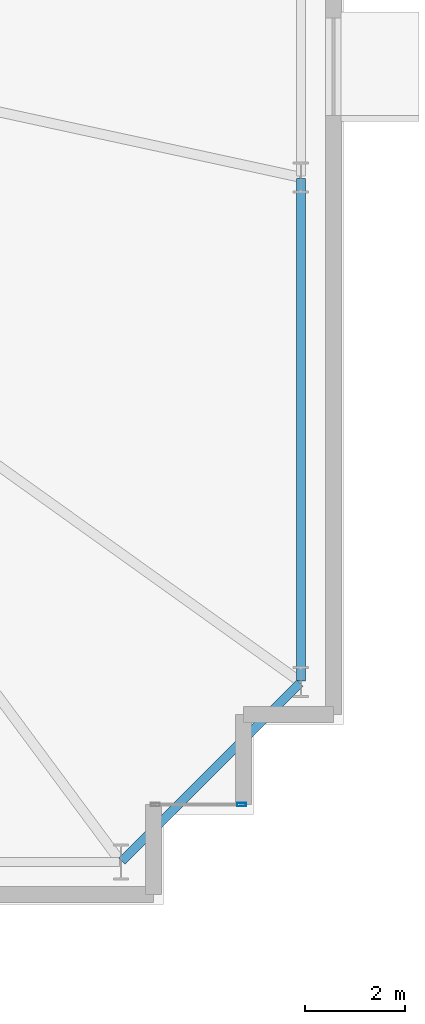
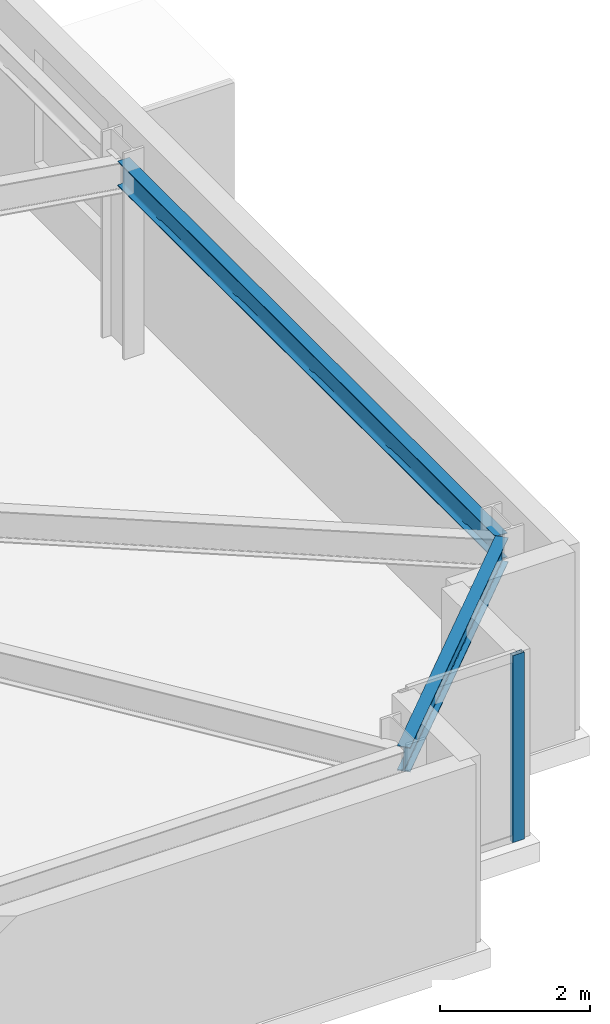
# One storey, part 14 of 24: 2 beams, 1 member, 1 element without a shape of its own.
"""IFC4 building model written with IfcOpenShell, lengths in metres."""

import ifcopenshell
import ifcopenshell.guid

model = None  # the IFC model being written
_history = None  # IfcOwnerHistory: only IFC2X3 demands one
_inside = {}  # id of a spatial element -> (the spatial element, [elements in it])
_under = {}  # id of a project, library or spatial element -> (it, [spatial elements below it])
_declared = {}  # id of a project -> (the project, [libraries it declares])
_typed = {}  # id of a type object -> (the type object, [elements of that type])
_made_of = {}  # id of a material, layer set ... -> (it, [elements and type objects made of it])


def new_model(schema):
    """Start an empty IFC model of exactly this schema.

    Asked for "IFC4X3", IfcOpenShell would pick the latest addendum, in which some entities
    have other attributes; the version numbers below select the first issue.
    IFC2X3 requires an IfcOwnerHistory on every rooted entity: one is made here for all.
    """
    global model, _history
    if schema == "IFC4X3":
        model = ifcopenshell.file(schema_version=(4, 3, 0, 0))
    else:
        model = ifcopenshell.file(schema=schema)
    _inside.clear()
    _under.clear()
    _declared.clear()
    _typed.clear()
    _made_of.clear()
    _history = None
    if model.schema == "IFC2X3":
        org = make("IfcOrganization", Name="unknown")
        user = make(
            "IfcPersonAndOrganization",
            ThePerson=make("IfcPerson", FamilyName="unknown"),
            TheOrganization=org,
        )
        app = make(
            "IfcApplication",
            ApplicationDeveloper=org,
            Version="unknown",
            ApplicationFullName="unknown",
            ApplicationIdentifier="unknown",
        )
        _history = make(
            "IfcOwnerHistory",
            OwningUser=user,
            OwningApplication=app,
            ChangeAction="ADDED",
            CreationDate=0,
        )
    return model


def make(cls, **values):
    """One entity of the class cls with the attributes given. An attribute that is None is left unset."""
    return model.create_entity(
        cls, **{name: value for name, value in values.items() if value is not None}
    )


def rooted(cls, **values):
    """An entity with a GlobalId (a new one), such as an element, a storey or a relation."""
    return make(cls, GlobalId=ifcopenshell.guid.new(), OwnerHistory=_history, **values)


def si_unit(unit_type, name, prefix=None):
    """IfcSIUnit, for example si_unit("LENGTHUNIT", "METRE", prefix="MILLI")."""
    return make("IfcSIUnit", UnitType=unit_type, Prefix=prefix, Name=name)


def assignment(units):
    """IfcUnitAssignment: the units of a project."""
    return None if units is None else make("IfcUnitAssignment", Units=units)


def point(xyz):
    """IfcCartesianPoint."""
    return None if xyz is None else make("IfcCartesianPoint", Coordinates=xyz)


def direction(xyz):
    """IfcDirection."""
    return None if xyz is None else make("IfcDirection", DirectionRatios=xyz)


def frame(location, z_axis=None, x_axis=None):
    """IfcAxis2Placement3D, a coordinate frame: its origin and axes. An axis left out is left unset."""
    return make(
        "IfcAxis2Placement3D",
        Location=point(location),
        Axis=direction(z_axis),
        RefDirection=direction(x_axis),
    )


def frame_2d(location, x_axis=None):
    """IfcAxis2Placement2D, a coordinate frame in the plane: its origin and x axis."""
    return make(
        "IfcAxis2Placement2D", Location=point(location), RefDirection=direction(x_axis)
    )


def origin():
    """The frame at (0, 0, 0) with its axes left unset."""
    return frame((0.0, 0.0, 0.0))


def origin_2d():
    """The frame at (0, 0) in the plane with its x axis left unset."""
    return frame_2d((0.0, 0.0))


def place(relative_to, where):
    """IfcLocalPlacement: puts the frame where relative to a parent placement (None: the world)."""
    return make(
        "IfcLocalPlacement", PlacementRelTo=relative_to, RelativePlacement=where
    )


def context(
    kind, dimensions, precision=None, world=None, true_north=None, identifier=None
):
    """IfcGeometricRepresentationContext, for example the 3D "Model" context."""
    return make(
        "IfcGeometricRepresentationContext",
        ContextIdentifier=identifier,
        ContextType=kind,
        CoordinateSpaceDimension=dimensions,
        Precision=precision,
        WorldCoordinateSystem=world,
        TrueNorth=true_north,
    )


def subcontext(parent, identifier, kind, view, scale=None):
    """IfcGeometricRepresentationSubContext, for example "Body" below "Model"."""
    return make(
        "IfcGeometricRepresentationSubContext",
        ContextIdentifier=identifier,
        ContextType=kind,
        ParentContext=parent,
        TargetScale=scale,
        TargetView=view,
    )


def project(units=None, contexts=None):
    """IfcProject with its units and contexts."""
    return rooted(
        "IfcProject",
        Name="project",
        RepresentationContexts=contexts,
        UnitsInContext=assignment(units),
    )


def spatial(cls, under=None, at=None, **own):
    """A site, building, storey or space (cls), placed at a placement, below another one or the project."""
    s = rooted(cls, ObjectPlacement=at, **own)
    if under is not None:
        _under.setdefault(under.id(), (under, []))[1].append(s)
    return s


def profile(cls, at=None, kind="AREA", **sizes):
    """A parametric profile (cls). Its sizes go by their IFC names, for example OverallWidth=200.0."""
    return make(cls, ProfileType=kind, Position=at, **sizes)


def hollow_rectangle(**sizes):
    """IfcRectangleHollowProfileDef."""
    return profile("IfcRectangleHollowProfileDef", **sizes)


def i_section(**sizes):
    """IfcIShapeProfileDef."""
    return profile("IfcIShapeProfileDef", **sizes)


def extrude(swept, where, along, depth):
    """IfcExtrudedAreaSolid: the profile swept, set in the frame where, extruded along a direction by depth."""
    return make(
        "IfcExtrudedAreaSolid",
        SweptArea=swept,
        Position=where,
        ExtrudedDirection=direction(along),
        Depth=depth,
    )


def shape(context_of_items, identifier, shape_type, items):
    """IfcShapeRepresentation: the items that make up one representation, for example the "Body"."""
    return make(
        "IfcShapeRepresentation",
        ContextOfItems=context_of_items,
        RepresentationIdentifier=identifier,
        RepresentationType=shape_type,
        Items=items,
    )


def material(Name=None, Category=None):
    """IfcMaterial."""
    return make("IfcMaterial", Name=Name, Category=Category)


def layer(
    of_material, thickness, ventilated=None, Name=None, Category=None, Priority=None
):
    """IfcMaterialLayer: one layer of a wall or slab, of a material (None: an air gap)."""
    return make(
        "IfcMaterialLayer",
        Material=of_material,
        LayerThickness=thickness,
        IsVentilated=ventilated,
        Name=Name,
        Category=Category,
        Priority=Priority,
    )


def layer_set(layers, Name=None):
    """IfcMaterialLayerSet."""
    return make("IfcMaterialLayerSet", MaterialLayers=layers, LayerSetName=Name)


def material_profile(
    of_material, cross_section, Name=None, Category=None, Priority=None
):
    """IfcMaterialProfile: a cross section and its material."""
    return make(
        "IfcMaterialProfile",
        Name=Name,
        Material=of_material,
        Profile=cross_section,
        Priority=Priority,
        Category=Category,
    )


def profile_set(profiles, Name=None, composite=None):
    """IfcMaterialProfileSet."""
    return make(
        "IfcMaterialProfileSet",
        Name=Name,
        MaterialProfiles=profiles,
        CompositeProfile=composite,
    )


def made_of(thing, what):
    """Note that an element or type object is made of a material, layer set ...; save() writes the relation."""
    if what is not None:
        _made_of.setdefault(what.id(), (what, []))[1].append(thing)
    return thing


def type_object(cls, material=None, **own):
    """A type object (cls), such as IfcWallType, which elements share."""
    return made_of(rooted(cls, **own), material)


def element(
    cls,
    number,
    at=None,
    inside=None,
    cuts=None,
    type_object=None,
    material=None,
    context=None,
    identifier="Body",
    shape_type=None,
    held_by="IfcProductDefinitionShape",
    body=None,
    shapes=None,
    **own,
):
    """One element of the class cls, such as IfcWall. Its Tag is "e" and its number.

    at: its placement. inside: the storey or other place that contains it. cuts: it is an
    opening in that element (IfcRelVoidsElement). A single representation is given by context,
    identifier, shape_type and body (its items); several are given by shapes. held_by: the class
    of the entity that holds the representations. save() writes the other relations.
    """
    e = rooted(cls, Tag="e%d" % number, ObjectPlacement=at, **own)
    if body is not None:
        shapes = [shape(context, identifier, shape_type, body)]
    if shapes is not None:
        e.Representation = make(held_by, Representations=shapes)
    if inside is not None:
        _inside.setdefault(inside.id(), (inside, []))[1].append(e)
    if cuts is not None:
        rooted(
            "IfcRelVoidsElement", RelatingBuildingElement=cuts, RelatedOpeningElement=e
        )
    if type_object is not None:
        _typed.setdefault(type_object.id(), (type_object, []))[1].append(e)
    return made_of(e, material)


def aggregate(whole, parts):
    """IfcRelAggregates: a whole, such as a stair, and the parts it consists of."""
    return rooted("IfcRelAggregates", RelatingObject=whole, RelatedObjects=parts)


def save(model, path):
    """Write the relations noted so far, then the file.

    IfcRelAggregates (storeys below a building ...), IfcRelContainedInSpatialStructure (elements
    in a storey), IfcRelDefinesByType, IfcRelAssociatesMaterial and IfcRelDeclares: one each for
    every whole, place, type object, material and project.
    """
    for whole, parts in _under.values():
        aggregate(whole, parts)
    for where, things in _inside.values():
        rooted(
            "IfcRelContainedInSpatialStructure",
            RelatedElements=things,
            RelatingStructure=where,
        )
    for kind, things in _typed.values():
        rooted("IfcRelDefinesByType", RelatedObjects=things, RelatingType=kind)
    for what, things in _made_of.values():
        rooted("IfcRelAssociatesMaterial", RelatedObjects=things, RelatingMaterial=what)
    for by, libraries in _declared.values():
        rooted("IfcRelDeclares", RelatingContext=by, RelatedDefinitions=libraries)
    model.write(path)


model = new_model("IFC4")

# Units and contexts
model_context = context("Model", 3, precision=1e-05, world=origin(), true_north=direction((0.0, 1.0)))
body_context = subcontext(model_context, "Body", "Model", "MODEL_VIEW")
ifc_project = project(units=[si_unit("LENGTHUNIT", "METRE"), si_unit("AREAUNIT", "SQUARE_METRE"), si_unit("VOLUMEUNIT", "CUBIC_METRE"), si_unit("PLANEANGLEUNIT", "RADIAN"), si_unit("MASSUNIT", "GRAM", prefix="KILO")], contexts=[model_context])

# Site, building, storey
site_placement = place(None, origin())
site = spatial("IfcSite", under=ifc_project, at=site_placement, CompositionType="ELEMENT")
building_placement = place(site_placement, origin())
building = spatial("IfcBuilding", under=site, at=building_placement, Name="Qobustan Lattice House", CompositionType="ELEMENT")
storey_placement = place(building_placement, frame((0.0, 0.0, 43.75)))
storey = spatial("IfcBuildingStorey", under=building, at=storey_placement, Name="L11", CompositionType="ELEMENT", Elevation=43.75)

# Beams
ifc_material_1 = material(Name="Steel S355", Category="steel")
ifc_material_profile_1 = material_profile(ifc_material_1, i_section(OverallWidth=0.179931640625, OverallDepth=0.39990234375, WebThickness=0.008544921875, FlangeThickness=0.013427734375, FilletRadius=0.02099609375, at=origin_2d()), Name="IPE400")
ifc_profile_set_1 = profile_set([ifc_material_profile_1], Name="Steel S355")
beam_type = type_object("IfcBeamType", Name="BM-SPD-IPE400", PredefinedType="SPANDREL", material=ifc_profile_set_1)
beam_1_placement = place(storey_placement, frame((28.567626953125, -18.732421875, 2.8349609375), z_axis=(0.707106781187, 0.707106781187, 0.0), x_axis=(-0.707106781187, 0.707106781187, 0.0)))
element("IfcBeam", 1, at=beam_1_placement, inside=storey, type_object=beam_type, Name="L11 perimeter spandrel S7-E1", PredefinedType="SPANDREL", context=body_context, shape_type="SweptSolid", body=[
    extrude(i_section(OverallWidth=0.179931640625, OverallDepth=0.39990234375, WebThickness=0.008544921875, FlangeThickness=0.013427734375, FilletRadius=0.02099609375, at=origin_2d()), origin(), (0.0, 0.0, 1.0), 5.041259765625),
])
beam_2_placement = place(storey_placement, frame((32.14990234375, -15.125, 2.8349609375), z_axis=(0.0, 1.0, 0.0), x_axis=(-1.0, 0.0, 0.0)))
element("IfcBeam", 2, at=beam_2_placement, inside=storey, type_object=beam_type, Name="L11 perimeter spandrel E1-E2", PredefinedType="SPANDREL", context=body_context, shape_type="SweptSolid", body=[
    extrude(i_section(OverallWidth=0.179931640625, OverallDepth=0.39990234375, WebThickness=0.008544921875, FlangeThickness=0.013427734375, FilletRadius=0.02099609375, at=origin_2d()), origin(), (0.0, 0.0, 1.0), 10.050048828125),
])

# Curtain wall, member
ifc_material_2 = material(Name="Anodised aluminium and low-E glazing", Category="aluminium")
ifc_layer = layer(ifc_material_2, 0.219970703125)
ifc_layer_set = layer_set([ifc_layer], Name="Anodised aluminium and low-E glazing")
curtain_wall_type = type_object("IfcCurtainWallType", Name="CW-FAC-01", PredefinedType="USERDEFINED", material=ifc_layer_set)
curtain_wall_placement = place(storey_placement, origin())
curtain_wall = element("IfcCurtainWall", 3, at=curtain_wall_placement, inside=storey, type_object=curtain_wall_type, Name="L11 serrated corner faceted glazing 18", ObjectType="CURTAIN WALL", PredefinedType="USERDEFINED")
ifc_material_3 = material(Name="Anodised aluminium EN AW-6063 T6", Category="aluminium")
ifc_material_profile_2 = material_profile(ifc_material_3, hollow_rectangle(XDim=0.070068359375, YDim=0.179931640625, WallThickness=0.00439453125, at=origin_2d()), Name="CWM-180x70")
ifc_profile_set_2 = profile_set([ifc_material_profile_2], Name="Anodised aluminium EN AW-6063 T6")
member_type = type_object("IfcMemberType", Name="CWM-STD-180", PredefinedType="MULLION", material=ifc_profile_set_2)
member_placement = place(storey_placement, frame((30.965087890625, -17.60009765625, 0.0), z_axis=(0.0, 0.0, 1.0), x_axis=(0.0, -1.0, 0.0)))
member = element("IfcMember", 4, at=member_placement, type_object=member_type, Name="CW-F1 mullion 1", PredefinedType="MULLION", context=body_context, shape_type="SweptSolid", body=[
    extrude(hollow_rectangle(XDim=0.070068359375, YDim=0.179931640625, WallThickness=0.00439453125, at=origin_2d()), origin(), (0.0, 0.0, 1.0), 3.034912109375),
])
aggregate(curtain_wall, [member])

save(model, "model.ifc")
